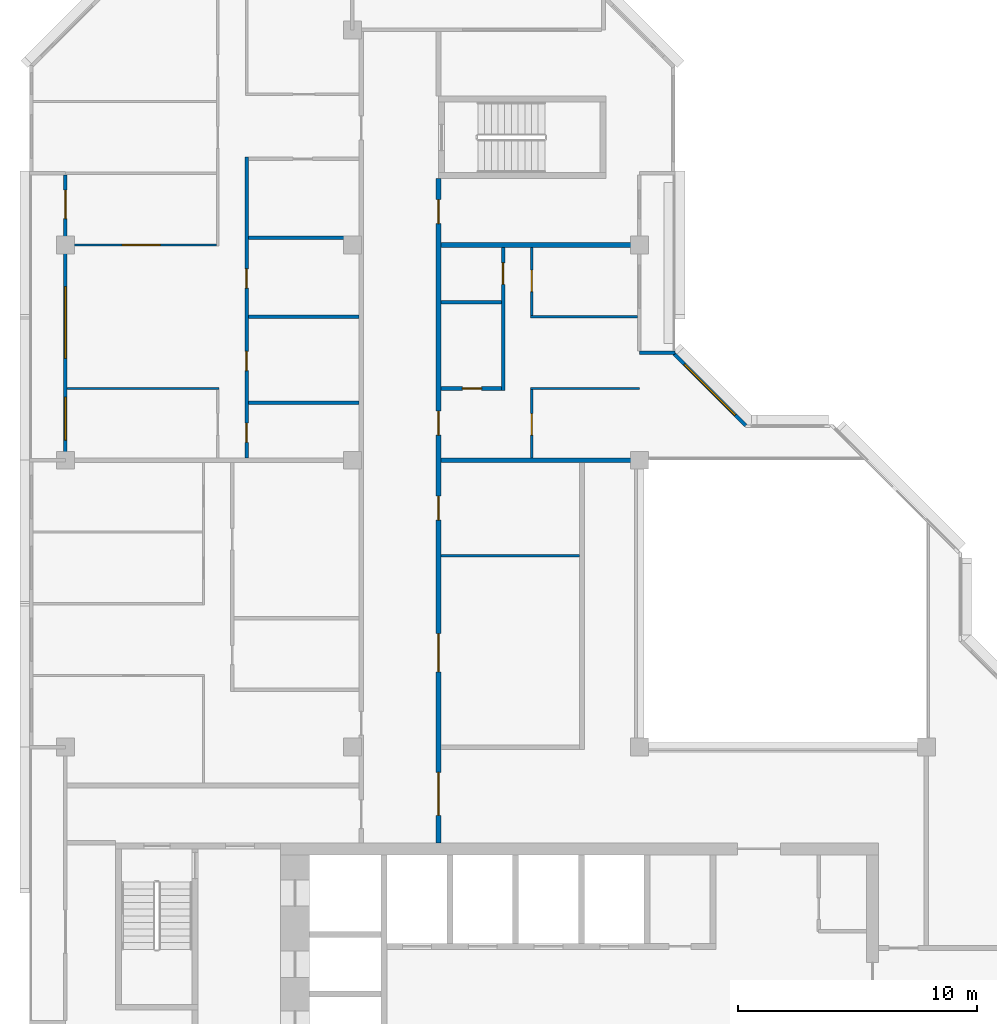
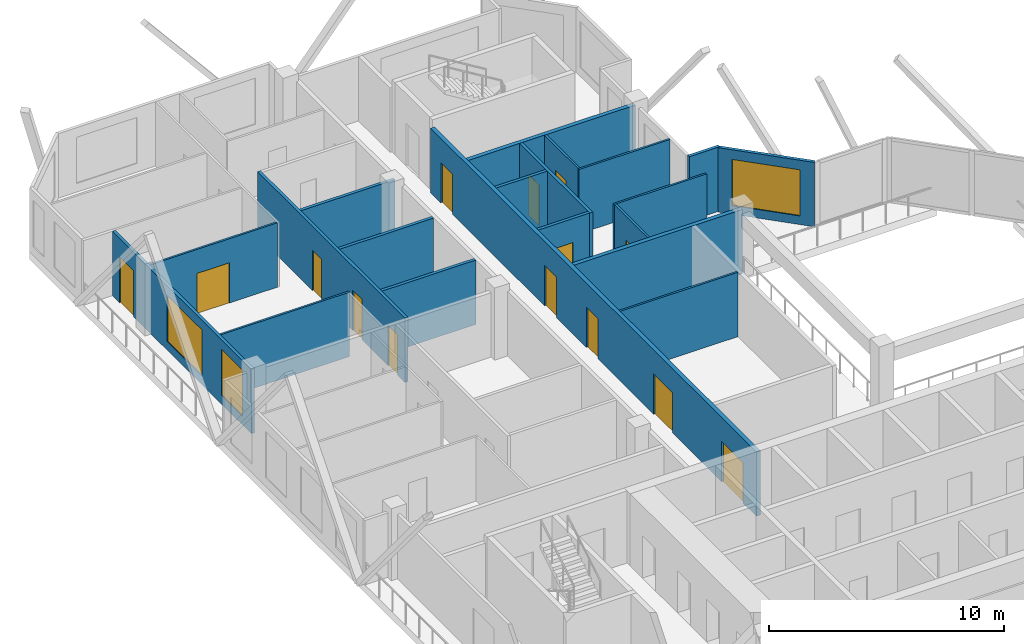
# One storey, part 8 of 12: 20 walls, 14 doors, 3 windows, 17 openings.
"""IFC4 building model written with IfcOpenShell, lengths in metres."""

from ifc_helpers import new_model, si_unit, direction, frame, frame_2d, origin, place, context, subcontext, project, spatial, rectangle, extrude, material, layer, layer_set, type_object, element, fill, save


model = new_model("IFC4")

# Units and contexts
model_context = context("Model", 3, precision=1e-05, world=origin(), true_north=direction((0.0, 1.0)))
body_context = subcontext(model_context, "Body", "Model", "MODEL_VIEW")
ifc_project = project(units=[si_unit("LENGTHUNIT", "METRE"), si_unit("AREAUNIT", "SQUARE_METRE"), si_unit("VOLUMEUNIT", "CUBIC_METRE"), si_unit("PLANEANGLEUNIT", "RADIAN"), si_unit("MASSUNIT", "GRAM", prefix="KILO")], contexts=[model_context])

# Site, building, storey
site_placement = place(None, origin())
site = spatial("IfcSite", under=ifc_project, at=site_placement, CompositionType="ELEMENT")
building_placement = place(site_placement, origin())
building = spatial("IfcBuilding", under=site, at=building_placement, Name="Chenar Terraces", CompositionType="ELEMENT")
storey_placement = place(building_placement, frame((0.0, 0.0, 361.39990234375)))
storey = spatial("IfcBuildingStorey", under=building, at=storey_placement, Name="L84", CompositionType="ELEMENT", Elevation=361.39990234375)

# Wall, openings, doors
ifc_material_1 = material(Name="Gypsum board on steel studs with fire boards", Category="steel")
ifc_layer_1 = layer(ifc_material_1, 0.199951171875)
ifc_layer_set_1 = layer_set([ifc_layer_1], Name="Gypsum board on steel studs with fire boards")
wall_type_1 = type_object("IfcWallType", Name="Corridor wall 200", PredefinedType="PARTITIONING", material=ifc_layer_set_1)
wall_1_placement = place(storey_placement, frame((15.60009765625, 20.0, 0.0), z_axis=(0.0, 0.0, 1.0), x_axis=(0.0, 1.0, 0.0)))
wall_1 = element("IfcWall", 1, at=wall_1_placement, inside=storey, type_object=wall_type_1, Name="Partition L84-032", PredefinedType="PARTITIONING", context=body_context, shape_type="SweptSolid", body=[
    extrude(rectangle(XDim=27.77490234375, YDim=0.199951171875, at=frame_2d((13.887451171875, 0.0))), origin(), (0.0, 0.0, 1.0), 3.35009765625),
])
opening_1_placement = place(wall_1_placement, frame((7.14990234375, 0.0, 0.0)))
opening_1 = element("IfcOpeningElement", 2, at=opening_1_placement, cuts=wall_1, Name="Opening DL84-1", PredefinedType="OPENING", context=body_context, shape_type="SweptSolid", body=[
    extrude(rectangle(XDim=1.60009765625, YDim=2.10009765625, at=frame_2d((0.800048828125, 1.050048828125))), frame((0.0, 0.10986328125, 0.0), z_axis=(0.0, -1.0, 0.0), x_axis=(1.0, 0.0, 0.0)), (0.0, 0.0, 1.0), 0.219970703125),
])
opening_2_placement = place(wall_1_placement, frame((13.5, 0.0, 0.0)))
opening_2 = element("IfcOpeningElement", 3, at=opening_2_placement, cuts=wall_1, Name="Opening DL84-2", PredefinedType="OPENING", context=body_context, shape_type="SweptSolid", body=[
    extrude(rectangle(XDim=1.0, YDim=2.10009765625, at=frame_2d((0.5, 1.050048828125))), frame((0.0, 0.10986328125, 0.0), z_axis=(0.0, -1.0, 0.0), x_axis=(1.0, 0.0, 0.0)), (0.0, 0.0, 1.0), 0.219970703125),
])
opening_3_placement = place(wall_1_placement, frame((17.050048828125, 0.0, 0.0)))
opening_3 = element("IfcOpeningElement", 4, at=opening_3_placement, cuts=wall_1, Name="Opening DL84-8", PredefinedType="OPENING", context=body_context, shape_type="SweptSolid", body=[
    extrude(rectangle(XDim=1.0, YDim=2.10009765625, at=frame_2d((0.5, 1.050048828125))), frame((0.0, 0.10986328125, 0.0), z_axis=(0.0, -1.0, 0.0), x_axis=(1.0, 0.0, 0.0)), (0.0, 0.0, 1.0), 0.219970703125),
])
opening_4_placement = place(wall_1_placement, frame((1.14990234375, 0.0, 0.0)))
opening_4 = element("IfcOpeningElement", 5, at=opening_4_placement, cuts=wall_1, Name="Opening DL84-20", PredefinedType="OPENING", context=body_context, shape_type="SweptSolid", body=[
    extrude(rectangle(XDim=1.800048828125, YDim=2.10009765625, at=frame_2d((0.89990234375, 1.050048828125))), frame((0.0, 0.10986328125, 0.0), z_axis=(0.0, -1.0, 0.0), x_axis=(1.0, 0.0, 0.0)), (0.0, 0.0, 1.0), 0.219970703125),
])
opening_5_placement = place(wall_1_placement, frame((25.89990234375, 0.0, 0.0)))
opening_5 = element("IfcOpeningElement", 6, at=opening_5_placement, cuts=wall_1, Name="Opening DL84-23", PredefinedType="OPENING", context=body_context, shape_type="SweptSolid", body=[
    extrude(rectangle(XDim=1.0, YDim=2.10009765625, at=frame_2d((0.5, 1.050048828125))), frame((0.0, 0.10986328125, 0.0), z_axis=(0.0, -1.0, 0.0), x_axis=(1.0, 0.0, 0.0)), (0.0, 0.0, 1.0), 0.219970703125),
])
ifc_material_2 = material(Name="Steel-framed fire-resisting door leaf", Category="steel")
door_type_1 = type_object("IfcDoorType", Name="Fire door FD60 1000 x 2100", OperationType="SINGLE_SWING_LEFT", PredefinedType="DOOR", material=ifc_material_2)
door_1_placement = place(opening_2_placement, frame((1.0, 0.0, 0.0), z_axis=(0.0, 0.0, 1.0), x_axis=(-1.0, 0.0, 0.0)))
door_1 = element("IfcDoor", 7, at=door_1_placement, inside=storey, type_object=door_type_1, Name="Door DL84-2", OperationType="SINGLE_SWING_LEFT", OverallHeight=2.10009765625, OverallWidth=1.0, PredefinedType="DOOR", context=body_context, shape_type="SweptSolid", body=[
    extrude(rectangle(XDim=1.0, YDim=2.10009765625, at=frame_2d((0.5, 1.050048828125))), frame((0.0, 0.02490234375, 0.0), z_axis=(0.0, -1.0, 0.0), x_axis=(1.0, 0.0, 0.0)), (0.0, 0.0, 1.0), 0.050048828125),
])
fill(opening_2, door_1)
door_2_placement = place(opening_3_placement, frame((1.0, 0.0, 0.0), z_axis=(0.0, 0.0, 1.0), x_axis=(-1.0, 0.0, 0.0)))
door_2 = element("IfcDoor", 8, at=door_2_placement, inside=storey, type_object=door_type_1, Name="Door DL84-8", OperationType="SINGLE_SWING_LEFT", OverallHeight=2.10009765625, OverallWidth=1.0, PredefinedType="DOOR", context=body_context, shape_type="SweptSolid", body=[
    extrude(rectangle(XDim=1.0, YDim=2.10009765625, at=frame_2d((0.5, 1.050048828125))), frame((0.0, 0.02490234375, 0.0), z_axis=(0.0, -1.0, 0.0), x_axis=(1.0, 0.0, 0.0)), (0.0, 0.0, 1.0), 0.050048828125),
])
fill(opening_3, door_2)
door_3_placement = place(opening_5_placement, frame((1.0, 0.0, 0.0), z_axis=(0.0, 0.0, 1.0), x_axis=(-1.0, 0.0, 0.0)))
door_3 = element("IfcDoor", 9, at=door_3_placement, inside=storey, type_object=door_type_1, Name="Door DL84-23", OperationType="SINGLE_SWING_RIGHT", OverallHeight=2.10009765625, OverallWidth=1.0, PredefinedType="DOOR", context=body_context, shape_type="SweptSolid", body=[
    extrude(rectangle(XDim=1.0, YDim=2.10009765625, at=frame_2d((0.5, 1.050048828125))), frame((0.0, 0.02490234375, 0.0), z_axis=(0.0, -1.0, 0.0), x_axis=(1.0, 0.0, 0.0)), (0.0, 0.0, 1.0), 0.050048828125),
])
fill(opening_5, door_3)
ifc_material_3 = material(Name="Steel-framed fire-resisting door leaf", Category="steel")
door_type_2 = type_object("IfcDoorType", Name="Fire double door FD60 1600 x 2100", OperationType="DOUBLE_DOOR_SINGLE_SWING", PredefinedType="DOOR", material=ifc_material_3)
door_4_placement = place(opening_1_placement, frame((1.60009765625, 0.0, 0.0), z_axis=(0.0, 0.0, 1.0), x_axis=(-1.0, 0.0, 0.0)))
door_4 = element("IfcDoor", 10, at=door_4_placement, inside=storey, type_object=door_type_2, Name="Door DL84-1", OperationType="DOUBLE_DOOR_SINGLE_SWING", OverallHeight=2.10009765625, OverallWidth=1.60009765625, PredefinedType="DOOR", context=body_context, shape_type="SweptSolid", body=[
    extrude(rectangle(XDim=1.60009765625, YDim=2.10009765625, at=frame_2d((0.800048828125, 1.050048828125))), frame((0.0, 0.02490234375, 0.0), z_axis=(0.0, -1.0, 0.0), x_axis=(1.0, 0.0, 0.0)), (0.0, 0.0, 1.0), 0.050048828125),
])
fill(opening_1, door_4)
ifc_material_4 = material(Name="Steel-framed fire-resisting door leaf", Category="steel")
door_type_3 = type_object("IfcDoorType", Name="Fire double door FD60 1800 x 2100", OperationType="DOUBLE_DOOR_SINGLE_SWING", PredefinedType="DOOR", material=ifc_material_4)
door_5_placement = place(opening_4_placement, frame((1.800048828125, 0.0, 0.0), z_axis=(0.0, 0.0, 1.0), x_axis=(-1.0, 0.0, 0.0)))
door_5 = element("IfcDoor", 11, at=door_5_placement, inside=storey, type_object=door_type_3, Name="Door DL84-20", OperationType="DOUBLE_DOOR_SINGLE_SWING", OverallHeight=2.10009765625, OverallWidth=1.800048828125, PredefinedType="DOOR", context=body_context, shape_type="SweptSolid", body=[
    extrude(rectangle(XDim=1.800048828125, YDim=2.10009765625, at=frame_2d((0.89990234375, 1.050048828125))), frame((0.0, 0.02490234375, 0.0), z_axis=(0.0, -1.0, 0.0), x_axis=(1.0, 0.0, 0.0)), (0.0, 0.0, 1.0), 0.050048828125),
])
fill(opening_4, door_5)

# Wall, openings, windows, door
ifc_material_5 = material(Name="Aluminium framed glazing", Category="aluminium")
ifc_layer_2 = layer(ifc_material_5, 0.14990234375)
ifc_layer_set_2 = layer_set([ifc_layer_2], Name="Aluminium framed glazing")
wall_type_2 = type_object("IfcWallType", Name="Glazed loggia back wall 150", PredefinedType="SOLIDWALL", material=ifc_layer_set_2)
wall_2_placement = place(storey_placement, frame((0.0, 47.925048828125, 0.0), z_axis=(0.0, 0.0, 1.0), x_axis=(0.0, -1.0, 0.0)))
wall_2 = element("IfcWall", 12, at=wall_2_placement, inside=storey, type_object=wall_type_2, Name="Glazed loggia back wall", PredefinedType="SOLIDWALL", context=body_context, shape_type="SweptSolid", body=[
    extrude(rectangle(XDim=11.85009765625, YDim=0.14990234375, at=frame_2d((5.925048828125, 0.0))), origin(), (0.0, 0.0, 1.0), 3.35009765625),
])
opening_6_placement = place(wall_2_placement, frame((0.625, 0.0, 0.0)))
opening_6 = element("IfcOpeningElement", 13, at=opening_6_placement, cuts=wall_2, Name="Opening DL84-G1", PredefinedType="OPENING", context=body_context, shape_type="SweptSolid", body=[
    extrude(rectangle(XDim=1.199951171875, YDim=2.39990234375, at=frame_2d((0.60009765625, 1.199951171875))), frame((0.0, 0.0849609375, 0.0), z_axis=(0.0, -1.0, 0.0), x_axis=(1.0, 0.0, 0.0)), (0.0, 0.0, 1.0), 0.169921875),
])
opening_7_placement = place(wall_2_placement, frame((4.66259765625, 0.0, 0.449951171875)))
opening_7 = element("IfcOpeningElement", 14, at=opening_7_placement, cuts=wall_2, Name="Opening W300x240", PredefinedType="OPENING", context=body_context, shape_type="SweptSolid", body=[
    extrude(rectangle(XDim=3.0, YDim=2.39990234375, at=frame_2d((1.5, 1.199951171875))), frame((0.0, 0.0849609375, 0.0), z_axis=(0.0, -1.0, 0.0), x_axis=(1.0, 0.0, 0.0)), (0.0, 0.0, 1.0), 0.169921875),
])
opening_8_placement = place(wall_2_placement, frame((9.28759765625, 0.0, 0.449951171875)))
opening_8 = element("IfcOpeningElement", 15, at=opening_8_placement, cuts=wall_2, Name="Opening W180x240", PredefinedType="OPENING", context=body_context, shape_type="SweptSolid", body=[
    extrude(rectangle(XDim=1.800048828125, YDim=2.39990234375, at=frame_2d((0.89990234375, 1.199951171875))), frame((0.0, 0.0849609375, 0.0), z_axis=(0.0, -1.0, 0.0), x_axis=(1.0, 0.0, 0.0)), (0.0, 0.0, 1.0), 0.169921875),
])
ifc_material_6 = material(Name="Low emissivity double glazing, aluminium frame", Category="aluminium")
window_type_1 = type_object("IfcWindowType", Name="Fixed light 1800 x 2400", PartitioningType="SINGLE_PANEL", PredefinedType="WINDOW", material=ifc_material_6)
window_1_placement = place(opening_8_placement, origin())
window_1 = element("IfcWindow", 16, at=window_1_placement, inside=storey, type_object=window_type_1, Name="Window", OverallHeight=2.39990234375, OverallWidth=1.800048828125, PartitioningType="SINGLE_PANEL", PredefinedType="WINDOW", context=body_context, shape_type="SweptSolid", body=[
    extrude(rectangle(XDim=1.800048828125, YDim=2.39990234375, at=frame_2d((0.89990234375, 1.199951171875))), frame((0.0, 0.030029296875, 0.0), z_axis=(0.0, -1.0, 0.0), x_axis=(1.0, 0.0, 0.0)), (0.0, 0.0, 1.0), 0.06005859375),
])
fill(opening_8, window_1)
ifc_material_7 = material(Name="Low emissivity double glazing, aluminium frame", Category="aluminium")
window_type_2 = type_object("IfcWindowType", Name="Fixed light 3000 x 2400", PartitioningType="SINGLE_PANEL", PredefinedType="WINDOW", material=ifc_material_7)
window_2_placement = place(opening_7_placement, origin())
window_2 = element("IfcWindow", 17, at=window_2_placement, inside=storey, type_object=window_type_2, Name="Window", OverallHeight=2.39990234375, OverallWidth=3.0, PartitioningType="SINGLE_PANEL", PredefinedType="WINDOW", context=body_context, shape_type="SweptSolid", body=[
    extrude(rectangle(XDim=3.0, YDim=2.39990234375, at=frame_2d((1.5, 1.199951171875))), frame((0.0, 0.030029296875, 0.0), z_axis=(0.0, -1.0, 0.0), x_axis=(1.0, 0.0, 0.0)), (0.0, 0.0, 1.0), 0.06005859375),
])
fill(opening_7, window_2)
ifc_material_8 = material(Name="Low emissivity double glazing, aluminium frame", Category="aluminium")
door_type_4 = type_object("IfcDoorType", Name="Loggia glazed double door 1200 x 2400", OperationType="DOUBLE_DOOR_SINGLE_SWING", PredefinedType="DOOR", material=ifc_material_8)
door_6_placement = place(opening_6_placement, frame((1.199951171875, 0.0, 0.0), z_axis=(0.0, 0.0, 1.0), x_axis=(-1.0, 0.0, 0.0)))
door_6 = element("IfcDoor", 18, at=door_6_placement, inside=storey, type_object=door_type_4, Name="Loggia glazed door", OperationType="DOUBLE_DOOR_SINGLE_SWING", OverallHeight=2.39990234375, OverallWidth=1.199951171875, PredefinedType="DOOR", context=body_context, shape_type="SweptSolid", body=[
    extrude(rectangle(XDim=1.199951171875, YDim=2.39990234375, at=frame_2d((0.60009765625, 1.199951171875))), frame((0.0, 0.02490234375, 0.0), z_axis=(0.0, -1.0, 0.0), x_axis=(1.0, 0.0, 0.0)), (0.0, 0.0, 1.0), 0.050048828125),
])
fill(opening_6, door_6)

# Wall
ifc_material_9 = material(Name="Gypsum board on steel studs", Category="steel")
ifc_layer_3 = layer(ifc_material_9, 0.10009765625)
ifc_layer_set_3 = layer_set([ifc_layer_3], Name="Gypsum board on steel studs")
wall_type_3 = type_object("IfcWallType", Name="Gypsum partition 100", PredefinedType="PARTITIONING", material=ifc_layer_set_3)
wall_3_placement = place(storey_placement, frame((0.073974609375, 39.0, 0.0), z_axis=(0.0, 0.0, 1.0), x_axis=(1.0, 0.0, 0.0)))
element("IfcWall", 19, at=wall_3_placement, inside=storey, type_object=wall_type_3, Name="Partition L84-009", PredefinedType="PARTITIONING", context=body_context, shape_type="SweptSolid", body=[
    extrude(rectangle(XDim=6.35107421875, YDim=0.10009765625, at=frame_2d((3.175537109375, 0.0))), origin(), (0.0, 0.0, 1.0), 3.35009765625),
])

# Wall, opening, door
wall_4_placement = place(storey_placement, frame((0.073974609375, 45.0, 0.0), z_axis=(0.0, 0.0, 1.0), x_axis=(1.0, 0.0, 0.0)))
wall_4 = element("IfcWall", 20, at=wall_4_placement, inside=storey, type_object=wall_type_3, Name="Partition L84-010", PredefinedType="PARTITIONING", context=body_context, shape_type="SweptSolid", body=[
    extrude(rectangle(XDim=6.2509765625, YDim=0.10009765625, at=frame_2d((3.12548828125, 0.0))), origin(), (0.0, 0.0, 1.0), 3.35009765625),
])
opening_9_placement = place(wall_4_placement, frame((2.301025390625, 0.0, 0.0)))
opening_9 = element("IfcOpeningElement", 21, at=opening_9_placement, cuts=wall_4, Name="Opening DL84-15", PredefinedType="OPENING", context=body_context, shape_type="SweptSolid", body=[
    extrude(rectangle(XDim=1.60009765625, YDim=2.10009765625, at=frame_2d((0.800048828125, 1.050048828125))), frame((0.0, 0.06005859375, 0.0), z_axis=(0.0, -1.0, 0.0), x_axis=(1.0, 0.0, 0.0)), (0.0, 0.0, 1.0), 0.1201171875),
])
ifc_material_10 = material(Name="Veneered timber door leaf", Category="wood")
door_type_5 = type_object("IfcDoorType", Name="Double door 1600 x 2100", OperationType="DOUBLE_DOOR_SINGLE_SWING", PredefinedType="DOOR", material=ifc_material_10)
door_7_placement = place(opening_9_placement, origin())
door_7 = element("IfcDoor", 22, at=door_7_placement, inside=storey, type_object=door_type_5, Name="Door DL84-15", OperationType="DOUBLE_DOOR_SINGLE_SWING", OverallHeight=2.10009765625, OverallWidth=1.60009765625, PredefinedType="DOOR", context=body_context, shape_type="SweptSolid", body=[
    extrude(rectangle(XDim=1.60009765625, YDim=2.10009765625, at=frame_2d((0.800048828125, 1.050048828125))), frame((0.0, 0.02490234375, 0.0), z_axis=(0.0, -1.0, 0.0), x_axis=(1.0, 0.0, 0.0)), (0.0, 0.0, 1.0), 0.050048828125),
])
fill(opening_9, door_7)

# Walls
wall_5_placement = place(storey_placement, frame((15.699951171875, 32.0, 0.0), z_axis=(0.0, 0.0, 1.0), x_axis=(1.0, 0.0, 0.0)))
element("IfcWall", 23, at=wall_5_placement, inside=storey, type_object=wall_type_3, Name="Partition L84-035", PredefinedType="PARTITIONING", context=body_context, shape_type="SweptSolid", body=[
    extrude(rectangle(XDim=5.800048828125, YDim=0.10009765625, at=frame_2d((2.89990234375, 0.0))), origin(), (0.0, 0.0, 1.0), 3.35009765625),
])
wall_6_placement = place(storey_placement, frame((19.449951171875, 39.0, 0.0), z_axis=(0.0, 0.0, 1.0), x_axis=(1.0, 0.0, 0.0)))
element("IfcWall", 24, at=wall_6_placement, inside=storey, type_object=wall_type_3, Name="Partition L84-041", PredefinedType="PARTITIONING", context=body_context, shape_type="SweptSolid", body=[
    extrude(rectangle(XDim=4.550048828125, YDim=0.10009765625, at=frame_2d((2.27490234375, 0.0))), origin(), (0.0, 0.0, 1.0), 3.35009765625),
])
wall_7_placement = place(storey_placement, frame((19.449951171875, 42.0, 0.0), z_axis=(0.0, 0.0, 1.0), x_axis=(1.0, 0.0, 0.0)))
element("IfcWall", 25, at=wall_7_placement, inside=storey, type_object=wall_type_3, Name="Partition L84-042", PredefinedType="PARTITIONING", context=body_context, shape_type="SweptSolid", body=[
    extrude(rectangle(XDim=4.47607421875, YDim=0.10009765625, at=frame_2d((2.238037109375, 0.0))), origin(), (0.0, 0.0, 1.0), 3.35009765625),
])

# Wall, opening, door
wall_8_placement = place(storey_placement, frame((19.5, 36.10009765625, 0.0), z_axis=(0.0, 0.0, 1.0), x_axis=(0.0, 1.0, 0.0)))
wall_8 = element("IfcWall", 26, at=wall_8_placement, inside=storey, type_object=wall_type_3, Name="Partition L84-043", PredefinedType="PARTITIONING", context=body_context, shape_type="SweptSolid", body=[
    extrude(rectangle(XDim=2.849853515625, YDim=0.10009765625, at=frame_2d((1.4248046875, 0.0))), origin(), (0.0, 0.0, 1.0), 3.35009765625),
])
opening_10_placement = place(wall_8_placement, frame((0.949951171875, 0.0, 0.0)))
opening_10 = element("IfcOpeningElement", 27, at=opening_10_placement, cuts=wall_8, Name="Opening DL84-5", PredefinedType="OPENING", context=body_context, shape_type="SweptSolid", body=[
    extrude(rectangle(XDim=0.89990234375, YDim=2.10009765625, at=frame_2d((0.449951171875, 1.050048828125))), frame((0.0, 0.06005859375, 0.0), z_axis=(0.0, -1.0, 0.0), x_axis=(1.0, 0.0, 0.0)), (0.0, 0.0, 1.0), 0.1201171875),
])
ifc_material_11 = material(Name="Veneered timber door leaf", Category="wood")
door_type_6 = type_object("IfcDoorType", Name="Door 900 x 2100", OperationType="SINGLE_SWING_LEFT", PredefinedType="DOOR", material=ifc_material_11)
door_8_placement = place(opening_10_placement, frame((0.89990234375, 0.0, 0.0), z_axis=(0.0, 0.0, 1.0), x_axis=(-1.0, 0.0, 0.0)))
door_8 = element("IfcDoor", 28, at=door_8_placement, inside=storey, type_object=door_type_6, Name="Door DL84-5", OperationType="SINGLE_SWING_LEFT", OverallHeight=2.10009765625, OverallWidth=0.89990234375, PredefinedType="DOOR", context=body_context, shape_type="SweptSolid", body=[
    extrude(rectangle(XDim=0.89990234375, YDim=2.10009765625, at=frame_2d((0.449951171875, 1.050048828125))), frame((0.0, 0.02490234375, 0.0), z_axis=(0.0, -1.0, 0.0), x_axis=(1.0, 0.0, 0.0)), (0.0, 0.0, 1.0), 0.050048828125),
])
fill(opening_10, door_8)

wall_9_placement = place(storey_placement, frame((19.5, 42.050048828125, 0.0), z_axis=(0.0, 0.0, 1.0), x_axis=(0.0, 1.0, 0.0)))
wall_9 = element("IfcWall", 29, at=wall_9_placement, inside=storey, type_object=wall_type_3, Name="Partition L84-044", PredefinedType="PARTITIONING", context=body_context, shape_type="SweptSolid", body=[
    extrude(rectangle(XDim=2.849853515625, YDim=0.10009765625, at=frame_2d((1.4248046875, 0.0))), origin(), (0.0, 0.0, 1.0), 3.35009765625),
])
opening_11_placement = place(wall_9_placement, frame((1.0, 0.0, 0.0)))
opening_11 = element("IfcOpeningElement", 30, at=opening_11_placement, cuts=wall_9, Name="Opening DL84-6", PredefinedType="OPENING", context=body_context, shape_type="SweptSolid", body=[
    extrude(rectangle(XDim=0.89990234375, YDim=2.10009765625, at=frame_2d((0.449951171875, 1.050048828125))), frame((0.0, 0.06005859375, 0.0), z_axis=(0.0, -1.0, 0.0), x_axis=(1.0, 0.0, 0.0)), (0.0, 0.0, 1.0), 0.1201171875),
])
door_9_placement = place(opening_11_placement, frame((0.89990234375, 0.0, 0.0), z_axis=(0.0, 0.0, 1.0), x_axis=(-1.0, 0.0, 0.0)))
door_9 = element("IfcDoor", 31, at=door_9_placement, inside=storey, type_object=door_type_6, Name="Door DL84-6", OperationType="SINGLE_SWING_LEFT", OverallHeight=2.10009765625, OverallWidth=0.89990234375, PredefinedType="DOOR", context=body_context, shape_type="SweptSolid", body=[
    extrude(rectangle(XDim=0.89990234375, YDim=2.10009765625, at=frame_2d((0.449951171875, 1.050048828125))), frame((0.0, 0.02490234375, 0.0), z_axis=(0.0, -1.0, 0.0), x_axis=(1.0, 0.0, 0.0)), (0.0, 0.0, 1.0), 0.050048828125),
])
fill(opening_11, door_9)

# Wall
ifc_material_12 = material(Name="Terracotta cladding on insulated backing", Category="masonry")
ifc_layer_4 = layer(ifc_material_12, 0.14990234375)
ifc_layer_set_4 = layer_set([ifc_layer_4], Name="Terracotta cladding on insulated backing")
wall_type_4 = type_object("IfcWallType", Name="Loggia return wall 150", PredefinedType="SOLIDWALL", material=ifc_layer_set_4)
wall_10_placement = place(storey_placement, frame((25.5, 40.5, 0.0), z_axis=(0.0, 0.0, 1.0), x_axis=(-1.0, 0.0, 0.0)))
element("IfcWall", 32, at=wall_10_placement, inside=storey, type_object=wall_type_4, Name="Loggia return wall", PredefinedType="SOLIDWALL", context=body_context, shape_type="SweptSolid", body=[
    extrude(rectangle(XDim=1.5, YDim=0.14990234375, at=frame_2d((0.75, 0.0))), origin(), (0.0, 0.0, 1.0), 3.35009765625),
])

# Wall, opening, window
ifc_material_13 = material(Name="Terracotta cladding on insulated backing", Category="masonry")
ifc_layer_5 = layer(ifc_material_13, 0.14990234375)
ifc_layer_set_5 = layer_set([ifc_layer_5], Name="Terracotta cladding on insulated backing")
wall_type_5 = type_object("IfcWallType", Name="Terracotta rainscreen wall 150", PredefinedType="SOLIDWALL", material=ifc_layer_set_5)
wall_11_placement = place(storey_placement, frame((28.447021484375, 37.447021484375, 0.0), z_axis=(0.0, 0.0, 1.0), x_axis=(-0.707106781187, 0.707106781187, 0.0)))
wall_11 = element("IfcWall", 33, at=wall_11_placement, inside=storey, type_object=wall_type_5, Name="Terracotta rainscreen wall", PredefinedType="SOLIDWALL", context=body_context, shape_type="SweptSolid", body=[
    extrude(rectangle(XDim=4.24267578125, YDim=0.14990234375, at=frame_2d((2.121337890625, 0.0))), origin(), (0.0, 0.0, 1.0), 3.35009765625),
])
opening_12_placement = place(wall_11_placement, frame((0.621337890625, 0.0, 0.449951171875)))
opening_12 = element("IfcOpeningElement", 34, at=opening_12_placement, cuts=wall_11, Name="Opening W300x240", PredefinedType="OPENING", context=body_context, shape_type="SweptSolid", body=[
    extrude(rectangle(XDim=3.0, YDim=2.39990234375, at=frame_2d((1.5, 1.199951171875))), frame((0.0, 0.0849609375, 0.0), z_axis=(0.0, -1.0, 0.0), x_axis=(1.0, 0.0, 0.0)), (0.0, 0.0, 1.0), 0.169921875),
])
window_3_placement = place(opening_12_placement, origin())
window_3 = element("IfcWindow", 35, at=window_3_placement, inside=storey, type_object=window_type_2, Name="Window", OverallHeight=2.39990234375, OverallWidth=3.0, PartitioningType="SINGLE_PANEL", PredefinedType="WINDOW", context=body_context, shape_type="SweptSolid", body=[
    extrude(rectangle(XDim=3.0, YDim=2.39990234375, at=frame_2d((1.5, 1.199951171875))), frame((0.0, 0.030029296875, 0.0), z_axis=(0.0, -1.0, 0.0), x_axis=(1.0, 0.0, 0.0)), (0.0, 0.0, 1.0), 0.06005859375),
])
fill(opening_12, window_3)

# Walls
ifc_material_14 = material(Name="Twin gypsum board on steel studs with mineral wool", Category="steel")
ifc_layer_6 = layer(ifc_material_14, 0.199951171875)
ifc_layer_set_6 = layer_set([ifc_layer_6], Name="Twin gypsum board on steel studs with mineral wool")
wall_type_6 = type_object("IfcWallType", Name="Unit demising wall 200", PredefinedType="PARTITIONING", material=ifc_layer_set_6)
wall_12_placement = place(storey_placement, frame((15.699951171875, 36.0, 0.0), z_axis=(0.0, 0.0, 1.0), x_axis=(1.0, 0.0, 0.0)))
element("IfcWall", 36, at=wall_12_placement, inside=storey, type_object=wall_type_6, Name="Partition L84-036", PredefinedType="PARTITIONING", context=body_context, shape_type="SweptSolid", body=[
    extrude(rectangle(XDim=8.300048828125, YDim=0.199951171875, at=frame_2d((4.14990234375, 0.0))), origin(), (0.0, 0.0, 1.0), 3.35009765625),
])
wall_13_placement = place(storey_placement, frame((15.699951171875, 45.0, 0.0), z_axis=(0.0, 0.0, 1.0), x_axis=(1.0, 0.0, 0.0)))
element("IfcWall", 37, at=wall_13_placement, inside=storey, type_object=wall_type_6, Name="Partition L84-039", PredefinedType="PARTITIONING", context=body_context, shape_type="SweptSolid", body=[
    extrude(rectangle(XDim=8.22607421875, YDim=0.199951171875, at=frame_2d((4.113037109375, 0.0))), origin(), (0.0, 0.0, 1.0), 3.35009765625),
])

# Wall, openings, doors
ifc_material_15 = material(Name="Moisture-resistant gypsum board on steel studs", Category="steel")
ifc_layer_7 = layer(ifc_material_15, 0.14990234375)
ifc_layer_set_7 = layer_set([ifc_layer_7], Name="Moisture-resistant gypsum board on steel studs")
wall_type_7 = type_object("IfcWallType", Name="Wet-room partition 150", PredefinedType="PARTITIONING", material=ifc_layer_set_7)
wall_14_placement = place(storey_placement, frame((7.574951171875, 36.10009765625, 0.0), z_axis=(0.0, 0.0, 1.0), x_axis=(0.0, 1.0, 0.0)))
wall_14 = element("IfcWall", 38, at=wall_14_placement, inside=storey, type_object=wall_type_7, Name="Partition L84-020", PredefinedType="PARTITIONING", context=body_context, shape_type="SweptSolid", body=[
    extrude(rectangle(XDim=12.574951171875, YDim=0.14990234375, at=frame_2d((6.28759765625, 0.0))), origin(), (0.0, 0.0, 1.0), 3.35009765625),
])
opening_13_placement = place(wall_14_placement, frame((0.64990234375, 0.0, 0.0)))
opening_13 = element("IfcOpeningElement", 39, at=opening_13_placement, cuts=wall_14, Name="Opening DL84-13", PredefinedType="OPENING", context=body_context, shape_type="SweptSolid", body=[
    extrude(rectangle(XDim=0.800048828125, YDim=2.10009765625, at=frame_2d((0.39990234375, 1.050048828125))), frame((0.0, 0.0849609375, 0.0), z_axis=(0.0, -1.0, 0.0), x_axis=(1.0, 0.0, 0.0)), (0.0, 0.0, 1.0), 0.169921875),
])
opening_14_placement = place(wall_14_placement, frame((3.64990234375, 0.0, 0.0)))
opening_14 = element("IfcOpeningElement", 40, at=opening_14_placement, cuts=wall_14, Name="Opening DL84-17", PredefinedType="OPENING", context=body_context, shape_type="SweptSolid", body=[
    extrude(rectangle(XDim=0.800048828125, YDim=2.10009765625, at=frame_2d((0.39990234375, 1.050048828125))), frame((0.0, 0.0849609375, 0.0), z_axis=(0.0, -1.0, 0.0), x_axis=(1.0, 0.0, 0.0)), (0.0, 0.0, 1.0), 0.169921875),
])
opening_15_placement = place(wall_14_placement, frame((7.10009765625, 0.0, 0.0)))
opening_15 = element("IfcOpeningElement", 41, at=opening_15_placement, cuts=wall_14, Name="Opening DL84-18", PredefinedType="OPENING", context=body_context, shape_type="SweptSolid", body=[
    extrude(rectangle(XDim=0.800048828125, YDim=2.10009765625, at=frame_2d((0.39990234375, 1.050048828125))), frame((0.0, 0.0849609375, 0.0), z_axis=(0.0, -1.0, 0.0), x_axis=(1.0, 0.0, 0.0)), (0.0, 0.0, 1.0), 0.169921875),
])
ifc_material_16 = material(Name="Veneered timber door leaf", Category="wood")
door_type_7 = type_object("IfcDoorType", Name="Door 800 x 2100", OperationType="SINGLE_SWING_LEFT", PredefinedType="DOOR", material=ifc_material_16)
door_10_placement = place(opening_13_placement, frame((0.800048828125, 0.0, 0.0), z_axis=(0.0, 0.0, 1.0), x_axis=(-1.0, 0.0, 0.0)))
door_10 = element("IfcDoor", 42, at=door_10_placement, inside=storey, type_object=door_type_7, Name="Door DL84-13", OperationType="SINGLE_SWING_RIGHT", OverallHeight=2.10009765625, OverallWidth=0.800048828125, PredefinedType="DOOR", context=body_context, shape_type="SweptSolid", body=[
    extrude(rectangle(XDim=0.800048828125, YDim=2.10009765625, at=frame_2d((0.39990234375, 1.050048828125))), frame((0.0, 0.02490234375, 0.0), z_axis=(0.0, -1.0, 0.0), x_axis=(1.0, 0.0, 0.0)), (0.0, 0.0, 1.0), 0.050048828125),
])
fill(opening_13, door_10)
door_11_placement = place(opening_14_placement, frame((0.800048828125, 0.0, 0.0), z_axis=(0.0, 0.0, 1.0), x_axis=(-1.0, 0.0, 0.0)))
door_11 = element("IfcDoor", 43, at=door_11_placement, inside=storey, type_object=door_type_7, Name="Door DL84-17", OperationType="SINGLE_SWING_RIGHT", OverallHeight=2.10009765625, OverallWidth=0.800048828125, PredefinedType="DOOR", context=body_context, shape_type="SweptSolid", body=[
    extrude(rectangle(XDim=0.800048828125, YDim=2.10009765625, at=frame_2d((0.39990234375, 1.050048828125))), frame((0.0, 0.02490234375, 0.0), z_axis=(0.0, -1.0, 0.0), x_axis=(1.0, 0.0, 0.0)), (0.0, 0.0, 1.0), 0.050048828125),
])
fill(opening_14, door_11)
door_12_placement = place(opening_15_placement, frame((0.800048828125, 0.0, 0.0), z_axis=(0.0, 0.0, 1.0), x_axis=(-1.0, 0.0, 0.0)))
door_12 = element("IfcDoor", 44, at=door_12_placement, inside=storey, type_object=door_type_7, Name="Door DL84-18", OperationType="SINGLE_SWING_RIGHT", OverallHeight=2.10009765625, OverallWidth=0.800048828125, PredefinedType="DOOR", context=body_context, shape_type="SweptSolid", body=[
    extrude(rectangle(XDim=0.800048828125, YDim=2.10009765625, at=frame_2d((0.39990234375, 1.050048828125))), frame((0.0, 0.02490234375, 0.0), z_axis=(0.0, -1.0, 0.0), x_axis=(1.0, 0.0, 0.0)), (0.0, 0.0, 1.0), 0.050048828125),
])
fill(opening_15, door_12)

# Walls
for number, where, z_axis, x_axis, name in (
    (45, (7.64990234375, 38.39990234375, 0.0), (0.0, 0.0, 1.0), (1.0, 0.0, 0.0), "Partition L84-022"),
    (46, (7.64990234375, 42.0, 0.0), (0.0, 0.0, 1.0), (1.0, 0.0, 0.0), "Partition L84-023"),
    (47, (7.64990234375, 45.300048828125, 0.0), (0.0, 0.0, 1.0), (1.0, 0.0, 0.0), "Partition L84-024"),
):
    element("IfcWall", number, at=place(storey_placement, frame(where, z_axis=z_axis, x_axis=x_axis)), inside=storey, type_object=wall_type_7, Name=name, PredefinedType="PARTITIONING", context=body_context, shape_type="SweptSolid", body=[
        extrude(rectangle(XDim=4.625, YDim=0.14990234375, at=frame_2d((2.3125, 0.0))), origin(), (0.0, 0.0, 1.0), 3.35009765625),
    ])

# Wall, opening, door
wall_15_placement = place(storey_placement, frame((15.699951171875, 39.0, 0.0), z_axis=(0.0, 0.0, 1.0), x_axis=(1.0, 0.0, 0.0)))
wall_15 = element("IfcWall", 48, at=wall_15_placement, inside=storey, type_object=wall_type_7, Name="Partition L84-037", PredefinedType="PARTITIONING", context=body_context, shape_type="SweptSolid", body=[
    extrude(rectangle(XDim=2.525146484375, YDim=0.14990234375, at=frame_2d((1.2626953125, 0.0))), origin(), (0.0, 0.0, 1.0), 3.35009765625),
])
opening_16_placement = place(wall_15_placement, frame((0.89990234375, 0.0, 0.0)))
opening_16 = element("IfcOpeningElement", 49, at=opening_16_placement, cuts=wall_15, Name="Opening DL84-4", PredefinedType="OPENING", context=body_context, shape_type="SweptSolid", body=[
    extrude(rectangle(XDim=0.800048828125, YDim=2.10009765625, at=frame_2d((0.39990234375, 1.050048828125))), frame((0.0, 0.0849609375, 0.0), z_axis=(0.0, -1.0, 0.0), x_axis=(1.0, 0.0, 0.0)), (0.0, 0.0, 1.0), 0.169921875),
])
door_13_placement = place(opening_16_placement, origin())
door_13 = element("IfcDoor", 50, at=door_13_placement, inside=storey, type_object=door_type_7, Name="Door DL84-4", OperationType="SINGLE_SWING_RIGHT", OverallHeight=2.10009765625, OverallWidth=0.800048828125, PredefinedType="DOOR", context=body_context, shape_type="SweptSolid", body=[
    extrude(rectangle(XDim=0.800048828125, YDim=2.10009765625, at=frame_2d((0.39990234375, 1.050048828125))), frame((0.0, 0.02490234375, 0.0), z_axis=(0.0, -1.0, 0.0), x_axis=(1.0, 0.0, 0.0)), (0.0, 0.0, 1.0), 0.050048828125),
])
fill(opening_16, door_13)

# Wall
wall_16_placement = place(storey_placement, frame((15.699951171875, 42.60009765625, 0.0), z_axis=(0.0, 0.0, 1.0), x_axis=(1.0, 0.0, 0.0)))
element("IfcWall", 51, at=wall_16_placement, inside=storey, type_object=wall_type_7, Name="Partition L84-038", PredefinedType="PARTITIONING", context=body_context, shape_type="SweptSolid", body=[
    extrude(rectangle(XDim=2.525146484375, YDim=0.14990234375, at=frame_2d((1.2626953125, 0.0))), origin(), (0.0, 0.0, 1.0), 3.35009765625),
])

# Wall, opening, door
wall_17_placement = place(storey_placement, frame((18.300048828125, 38.925048828125, 0.0), z_axis=(0.0, 0.0, 1.0), x_axis=(0.0, 1.0, 0.0)))
wall_17 = element("IfcWall", 52, at=wall_17_placement, inside=storey, type_object=wall_type_7, Name="Partition L84-040", PredefinedType="PARTITIONING", context=body_context, shape_type="SweptSolid", body=[
    extrude(rectangle(XDim=5.974853515625, YDim=0.14990234375, at=frame_2d((2.9873046875, 0.0))), origin(), (0.0, 0.0, 1.0), 3.35009765625),
])
opening_17_placement = place(wall_17_placement, frame((4.425048828125, 0.0, 0.0)))
opening_17 = element("IfcOpeningElement", 53, at=opening_17_placement, cuts=wall_17, Name="Opening DL84-7", PredefinedType="OPENING", context=body_context, shape_type="SweptSolid", body=[
    extrude(rectangle(XDim=0.89990234375, YDim=2.10009765625, at=frame_2d((0.449951171875, 1.050048828125))), frame((0.0, 0.0849609375, 0.0), z_axis=(0.0, -1.0, 0.0), x_axis=(1.0, 0.0, 0.0)), (0.0, 0.0, 1.0), 0.169921875),
])
door_14_placement = place(opening_17_placement, origin())
door_14 = element("IfcDoor", 54, at=door_14_placement, inside=storey, type_object=door_type_6, Name="Door DL84-7", OperationType="SINGLE_SWING_RIGHT", OverallHeight=2.10009765625, OverallWidth=0.89990234375, PredefinedType="DOOR", context=body_context, shape_type="SweptSolid", body=[
    extrude(rectangle(XDim=0.89990234375, YDim=2.10009765625, at=frame_2d((0.449951171875, 1.050048828125))), frame((0.0, 0.02490234375, 0.0), z_axis=(0.0, -1.0, 0.0), x_axis=(1.0, 0.0, 0.0)), (0.0, 0.0, 1.0), 0.050048828125),
])
fill(opening_17, door_14)

save(model, "model.ifc")
